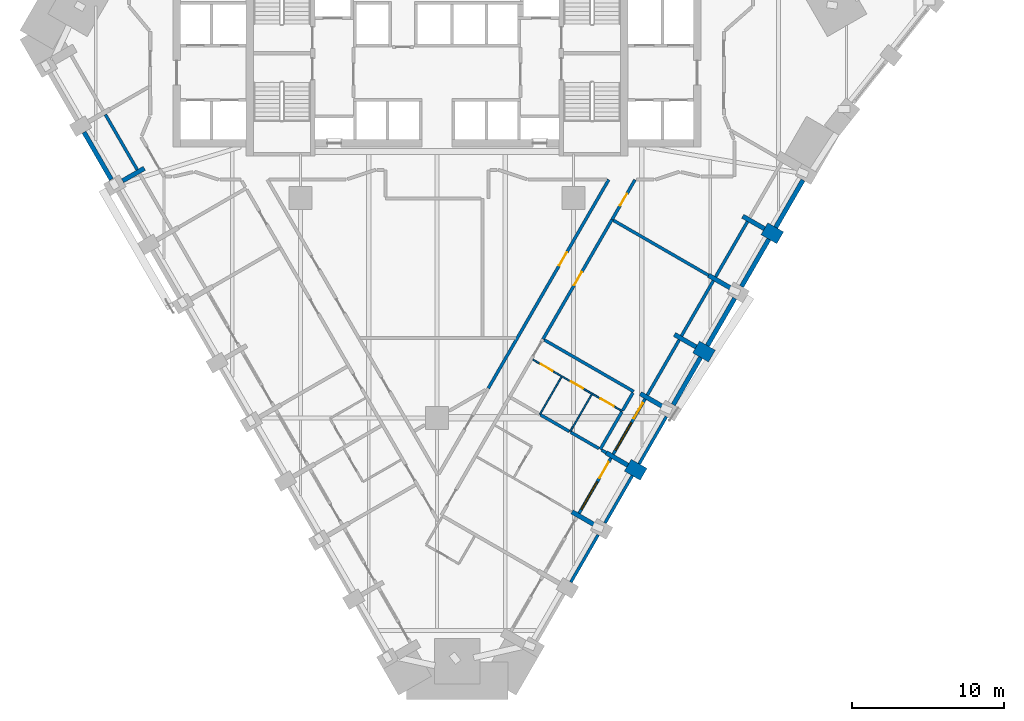
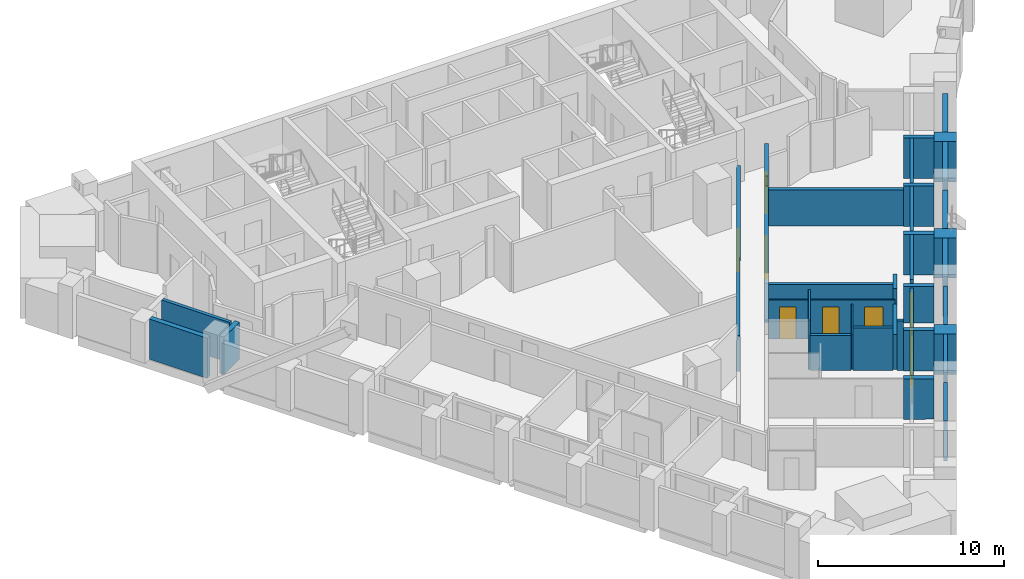
# One storey, part 5 of 11: 37 walls, 8 doors, 2 windows, 10 openings.
"""IFC4 building model written with IfcOpenShell, lengths in metres."""

from ifc_helpers import new_model, si_unit, direction, frame, frame_2d, origin, place, context, subcontext, project, spatial, polyline, rectangle, outline, extrude, material, layer, layer_set, type_object, element, fill, save


model = new_model("IFC4")

# Units and contexts
model_context = context("Model", 3, precision=1e-05, world=origin(), true_north=direction((0.0, 1.0)))
body_context = subcontext(model_context, "Body", "Model", "MODEL_VIEW")
ifc_project = project(units=[si_unit("LENGTHUNIT", "METRE"), si_unit("AREAUNIT", "SQUARE_METRE"), si_unit("VOLUMEUNIT", "CUBIC_METRE"), si_unit("PLANEANGLEUNIT", "RADIAN"), si_unit("MASSUNIT", "GRAM", prefix="KILO")], contexts=[model_context])

# Site, building, storey
site_placement = place(None, origin())
site = spatial("IfcSite", under=ifc_project, at=site_placement, CompositionType="ELEMENT")
building_placement = place(site_placement, origin())
building = spatial("IfcBuilding", under=site, at=building_placement, Name="Calabash Gate Tower", CompositionType="ELEMENT")
storey_placement = place(building_placement, frame((0.0, 0.0, 98.60009765625)))
storey = spatial("IfcBuildingStorey", under=building, at=storey_placement, Name="L21", CompositionType="ELEMENT", Elevation=98.60009765625)

# Walls
ifc_material_1 = material(Name="Terracotta brick masonry, exposed face", Category="masonry")
ifc_layer_1 = layer(ifc_material_1, 1.199951171875)
ifc_layer_set_1 = layer_set([ifc_layer_1], Name="Brick end wall 1200")
wall_type_1 = type_object("IfcWallType", Name="Brick end wall 1200", PredefinedType="SOLIDWALL", material=ifc_layer_set_1)
for number, where, z_axis, x_axis, name in (
    (1, (12.577880859375, -15.11962890625, 0.0), (0.0, 0.0, 1.0), (0.866006032174, -0.500033551112, 0.0), "Brick pier S05 SE2.3"),
    (2, (18.1171875, -7.925537109375, 0.0), (0.0, 0.0, 1.0), (-0.866006032174, 0.500033551112, 0.0), "Brick pier S05 SE2.5"),
):
    element("IfcWall", number, at=place(storey_placement, frame(where, z_axis=z_axis, x_axis=x_axis)), inside=storey, type_object=wall_type_1, Name=name, PredefinedType="SOLIDWALL", context=body_context, shape_type="SweptSolid", body=[
        extrude(rectangle(XDim=1.2001953125, YDim=0.89990234375, at=frame_2d((0.60009765625, 0.0))), origin(), (0.0, 0.0, 1.0), 2.6298828125),
    ])
wall_1_placement = place(storey_placement, frame((21.577880859375, 0.46875, 0.0), z_axis=(0.0, 0.0, 1.0), x_axis=(0.866094119867, -0.499880961361, 0.0)))
element("IfcWall", 3, at=wall_1_placement, inside=storey, type_object=wall_type_1, Name="Brick pier S05 SE2.7", PredefinedType="SOLIDWALL", context=body_context, shape_type="SweptSolid", body=[
    extrude(rectangle(XDim=1.199951171875, YDim=0.89990234375, at=frame_2d((0.60009765625, 0.0))), origin(), (0.0, 0.0, 1.0), 2.6298828125),
])
ifc_material_2 = material(Name="Terracotta brick masonry, exposed face", Category="masonry")
ifc_layer_2 = layer(ifc_material_2, 0.300048828125)
ifc_layer_set_2 = layer_set([ifc_layer_2], Name="Brick infill panel wall 300")
wall_type_2 = type_object("IfcWallType", Name="Brick infill panel wall 300", PredefinedType="SOLIDWALL", material=ifc_layer_set_2)
wall_2_placement = place(storey_placement, frame((-21.466552734375, 3.71630859375, 0.0), z_axis=(0.0, 0.0, 1.0), x_axis=(-0.499984792966, 0.866034183392, 0.0)))
element("IfcWall", 4, at=wall_2_placement, inside=storey, type_object=wall_type_2, Name="Brick panel S05 SW0.2", PredefinedType="SOLIDWALL", context=body_context, shape_type="SweptSolid", body=[
    extrude(rectangle(XDim=3.59814453125, YDim=0.300048828125, at=frame_2d((1.799072265625, 0.0))), origin(), (0.0, 0.0, 1.0), 2.6298828125),
])
wall_3_placement = place(storey_placement, frame((15.572509765625, -11.1328125, 0.0), z_axis=(0.0, 0.0, 1.0), x_axis=(0.500012057535, 0.866018442252, 0.0)))
element("IfcWall", 5, at=wall_3_placement, inside=storey, type_object=wall_type_2, Name="Brick panel S05 SE2.5", PredefinedType="SOLIDWALL", context=body_context, shape_type="SweptSolid", body=[
    extrude(rectangle(XDim=3.60009765625, YDim=0.300048828125, at=frame_2d((1.800048828125, 0.0))), origin(), (0.0, 0.0, 1.0), 2.6298828125),
])
wall_4_placement = place(storey_placement, frame((17.822509765625, -7.23583984375, 0.0), z_axis=(0.0, 0.0, 1.0), x_axis=(0.499982693035, 0.866035395735, 0.0)))
element("IfcWall", 6, at=wall_4_placement, inside=storey, type_object=wall_type_2, Name="Brick panel S05 SE2.6", PredefinedType="SOLIDWALL", context=body_context, shape_type="SweptSolid", body=[
    extrude(rectangle(XDim=3.600341796875, YDim=0.300048828125, at=frame_2d((1.80029296875, 0.0))), origin(), (0.0, 0.0, 1.0), 2.6298828125),
])
for number, where, z_axis, x_axis, name in (
    (7, (20.072509765625, -3.338623046875, 0.0), (0.0, 0.0, 1.0), (0.500012057535, 0.866018442252, 0.0), "Brick panel S05 SE2.7"),
    (8, (22.322509765625, 0.55859375, 0.0), (0.0, 0.0, 1.0), (0.500012057535, 0.866018442252, 0.0), "Brick panel S05 SE2.8"),
):
    element("IfcWall", number, at=place(storey_placement, frame(where, z_axis=z_axis, x_axis=x_axis)), inside=storey, type_object=wall_type_2, Name=name, PredefinedType="SOLIDWALL", context=body_context, shape_type="SweptSolid", body=[
        extrude(rectangle(XDim=3.60009765625, YDim=0.300048828125, at=frame_2d((1.800048828125, 0.0))), origin(), (0.0, 0.0, 1.0), 2.6298828125),
    ])
ifc_material_3 = material(Name="Terracotta brick masonry, exposed face", Category="masonry")
ifc_layer_3 = layer(ifc_material_3, 0.300048828125)
ifc_layer_set_3 = layer_set([ifc_layer_3], Name="Brick loggia cheek wall 300")
wall_type_3 = type_object("IfcWallType", Name="Brick loggia cheek wall 300", PredefinedType="SOLIDWALL", material=ifc_layer_set_3)
wall_5_placement = place(storey_placement, frame((-19.292236328125, 4.4501953125, 0.0), z_axis=(0.0, 0.0, 1.0), x_axis=(-0.865993292597, -0.500055614084, 0.0)))
element("IfcWall", 9, at=wall_5_placement, inside=storey, type_object=wall_type_3, Name="Loggia cheek S05 SW0.2", PredefinedType="SOLIDWALL", context=body_context, shape_type="SweptSolid", body=[
    extrude(rectangle(XDim=1.649169921875, YDim=0.300048828125, at=frame_2d((0.82470703125, 0.0))), origin(), (0.0, 0.0, 1.0), 2.449951171875),
])
wall_6_placement = place(storey_placement, frame((8.89892578125, -18.19189453125, 0.0), z_axis=(0.0, 0.0, 1.0), x_axis=(0.866067297121, -0.499927431592, 0.0)))
element("IfcWall", 10, at=wall_6_placement, inside=storey, type_object=wall_type_3, Name="Loggia cheek S05 SE2.2", PredefinedType="SOLIDWALL", context=body_context, shape_type="SweptSolid", body=[
    extrude(rectangle(XDim=1.649658203125, YDim=0.300048828125, at=frame_2d((0.82470703125, 0.0))), origin(), (0.0, 0.0, 1.0), 2.64990234375),
])
wall_7_placement = place(storey_placement, frame((12.577880859375, -15.11962890625, 0.0), z_axis=(0.0, 0.0, 1.0), x_axis=(-0.866040211805, 0.499974350878, 0.0)))
element("IfcWall", 11, at=wall_7_placement, inside=storey, type_object=wall_type_3, Name="Loggia cheek S05 SE2.3", PredefinedType="SOLIDWALL", context=body_context, shape_type="SweptSolid", body=[
    extrude(rectangle(XDim=1.64990234375, YDim=0.300048828125, at=frame_2d((0.824951171875, 0.0))), origin(), (0.0, 0.0, 1.0), 2.64990234375),
])
wall_8_placement = place(storey_placement, frame((13.39892578125, -10.3974609375, 0.0), z_axis=(0.0, 0.0, 1.0), x_axis=(0.866003217194, -0.500038426333, 0.0)))
element("IfcWall", 12, at=wall_8_placement, inside=storey, type_object=wall_type_3, Name="Loggia cheek S05 SE2.4", PredefinedType="SOLIDWALL", context=body_context, shape_type="SweptSolid", body=[
    extrude(rectangle(XDim=1.649658203125, YDim=0.300048828125, at=frame_2d((0.82470703125, 0.0))), origin(), (0.0, 0.0, 1.0), 2.384033203125),
])
wall_9_placement = place(storey_placement, frame((17.077880859375, -7.325439453125, 0.0), z_axis=(0.0, 0.0, 1.0), x_axis=(-0.866040211805, 0.499974350878, 0.0)))
element("IfcWall", 13, at=wall_9_placement, inside=storey, type_object=wall_type_3, Name="Loggia cheek S05 SE2.5", PredefinedType="SOLIDWALL", context=body_context, shape_type="SweptSolid", body=[
    extrude(rectangle(XDim=1.64990234375, YDim=0.300048828125, at=frame_2d((0.824951171875, 0.0))), origin(), (0.0, 0.0, 1.0), 2.64990234375),
])
wall_10_placement = place(storey_placement, frame((19.327392578125, -3.427978515625, 0.0), z_axis=(0.0, 0.0, 1.0), x_axis=(-0.866030301974, 0.499991515992, 0.0)))
element("IfcWall", 14, at=wall_10_placement, inside=storey, type_object=wall_type_3, Name="Loggia cheek S05 SE2.6", PredefinedType="SOLIDWALL", context=body_context, shape_type="SweptSolid", body=[
    extrude(rectangle(XDim=1.6494140625, YDim=0.300048828125, at=frame_2d((0.82470703125, 0.0))), origin(), (0.0, 0.0, 1.0), 2.64990234375),
])
wall_11_placement = place(storey_placement, frame((21.577880859375, 0.46875, 0.0), z_axis=(0.0, 0.0, 1.0), x_axis=(-0.866040211805, 0.499974350878, 0.0)))
element("IfcWall", 15, at=wall_11_placement, inside=storey, type_object=wall_type_3, Name="Loggia cheek S05 SE2.7", PredefinedType="SOLIDWALL", context=body_context, shape_type="SweptSolid", body=[
    extrude(rectangle(XDim=1.64990234375, YDim=0.300048828125, at=frame_2d((0.824951171875, 0.0))), origin(), (0.0, 0.0, 1.0), 2.64990234375),
])

# Wall, openings, doors
ifc_material_4 = material(Name="Gypsum board on steel studs, mineral wool", Category="steel")
ifc_layer_4 = layer(ifc_material_4, 0.10009765625)
ifc_layer_set_4 = layer_set([ifc_layer_4], Name="Partition 100 gypsum board")
wall_type_4 = type_object("IfcWallType", Name="Partition 100 gypsum board", PredefinedType="PARTITIONING", material=ifc_layer_set_4)
wall_12_placement = place(storey_placement, frame((6.322021484375, -8.1591796875, 0.0), z_axis=(0.0, 0.0, 1.0), x_axis=(0.866028893315, -0.499993955907, 0.0)))
wall_12 = element("IfcWall", 16, at=wall_12_placement, inside=storey, type_object=wall_type_4, Name="Partition", PredefinedType="PARTITIONING", context=body_context, shape_type="SweptSolid", body=[
    extrude(rectangle(XDim=6.7978515625, YDim=0.10009765625, at=frame_2d((3.39892578125, 0.0))), origin(), (0.0, 0.0, 1.0), 2.5517578125),
])
opening_1_placement = place(wall_12_placement, frame((0.59814453125, 0.0, 0.0)))
opening_1 = element("IfcOpeningElement", 17, at=opening_1_placement, cuts=wall_12, Name="Opening 19-21-017", PredefinedType="OPENING", context=body_context, shape_type="SweptSolid", body=[
    extrude(rectangle(XDim=0.89990234375, YDim=2.10009765625, at=frame_2d((0.449951171875, 1.050048828125))), frame((0.0, 0.06005859375, 0.0), z_axis=(0.0, -1.0, 0.0), x_axis=(1.0, 0.0, 0.0)), (0.0, 0.0, 1.0), 0.1201171875),
])
opening_2_placement = place(wall_12_placement, frame((2.898193359375, 0.0, 0.0)))
opening_2 = element("IfcOpeningElement", 18, at=opening_2_placement, cuts=wall_12, Name="Opening 19-21-018", PredefinedType="OPENING", context=body_context, shape_type="SweptSolid", body=[
    extrude(rectangle(XDim=0.89990234375, YDim=2.10009765625, at=frame_2d((0.449951171875, 1.050048828125))), frame((0.0, 0.06005859375, 0.0), z_axis=(0.0, -1.0, 0.0), x_axis=(1.0, 0.0, 0.0)), (0.0, 0.0, 1.0), 0.1201171875),
])
opening_3_placement = place(wall_12_placement, frame((5.148193359375, 0.0, 0.0)))
opening_3 = element("IfcOpeningElement", 19, at=opening_3_placement, cuts=wall_12, Name="Opening 19-21-019", PredefinedType="OPENING", context=body_context, shape_type="SweptSolid", body=[
    extrude(rectangle(XDim=1.0, YDim=2.10009765625, at=frame_2d((0.5, 1.050048828125))), frame((0.0, 0.06005859375, 0.0), z_axis=(0.0, -1.0, 0.0), x_axis=(1.0, 0.0, 0.0)), (0.0, 0.0, 1.0), 0.1201171875),
])
ifc_material_5 = material(Name="Painted timber door", Category="wood")
door_type_1 = type_object("IfcDoorType", Name="WD1 WC door 900x2100", OperationType="NOTDEFINED", PredefinedType="DOOR", material=ifc_material_5)
door_1_placement = place(opening_1_placement, origin())
door_1 = element("IfcDoor", 20, at=door_1_placement, inside=storey, type_object=door_type_1, Name="WC door", OperationType="SINGLE_SWING_RIGHT", OverallHeight=2.10009765625, OverallWidth=0.89990234375, PredefinedType="DOOR", context=body_context, shape_type="SweptSolid", body=[
    extrude(rectangle(XDim=0.89990234375, YDim=2.10009765625, at=frame_2d((0.449951171875, 1.050048828125))), frame((0.0, 0.02490234375, 0.0), z_axis=(0.0, -1.0, 0.0), x_axis=(1.0, 0.0, 0.0)), (0.0, 0.0, 1.0), 0.050048828125),
])
fill(opening_1, door_1)
door_2_placement = place(opening_2_placement, origin())
door_2 = element("IfcDoor", 21, at=door_2_placement, inside=storey, type_object=door_type_1, Name="WC door", OperationType="SINGLE_SWING_RIGHT", OverallHeight=2.10009765625, OverallWidth=0.89990234375, PredefinedType="DOOR", context=body_context, shape_type="SweptSolid", body=[
    extrude(rectangle(XDim=0.89990234375, YDim=2.10009765625, at=frame_2d((0.449951171875, 1.050048828125))), frame((0.0, 0.02490234375, 0.0), z_axis=(0.0, -1.0, 0.0), x_axis=(1.0, 0.0, 0.0)), (0.0, 0.0, 1.0), 0.050048828125),
])
fill(opening_2, door_2)
ifc_material_6 = material(Name="Painted timber door", Category="wood")
door_type_2 = type_object("IfcDoorType", Name="WD2 Accessible WC door 1000x2100", OperationType="NOTDEFINED", PredefinedType="DOOR", material=ifc_material_6)
door_3_placement = place(opening_3_placement, origin())
door_3 = element("IfcDoor", 22, at=door_3_placement, inside=storey, type_object=door_type_2, Name="Accessible WC door", OperationType="SINGLE_SWING_LEFT", OverallHeight=2.10009765625, OverallWidth=1.0, PredefinedType="DOOR", context=body_context, shape_type="SweptSolid", body=[
    extrude(rectangle(XDim=1.0, YDim=2.10009765625, at=frame_2d((0.5, 1.050048828125))), frame((0.0, 0.02490234375, 0.0), z_axis=(0.0, -1.0, 0.0), x_axis=(1.0, 0.0, 0.0)), (0.0, 0.0, 1.0), 0.050048828125),
])
fill(opening_3, door_3)

# Walls
wall_13_placement = place(storey_placement, frame((8.769287109375, -12.92041015625, 0.0), z_axis=(0.0, 0.0, 1.0), x_axis=(0.499972122318, 0.866041498374, 0.0)))
element("IfcWall", 23, at=wall_13_placement, inside=storey, type_object=wall_type_4, Name="Partition", PredefinedType="PARTITIONING", context=body_context, shape_type="SweptSolid", body=[
    extrude(rectangle(XDim=2.849853515625, YDim=0.10009765625, at=frame_2d((1.4248046875, 0.0))), origin(), (0.0, 0.0, 1.0), 2.30224609375),
])
wall_14_placement = place(storey_placement, frame((6.77734375, -11.7705078125, 0.0), z_axis=(0.0, 0.0, 1.0), x_axis=(0.499972122318, 0.866041498374, 0.0)))
element("IfcWall", 24, at=wall_14_placement, inside=storey, type_object=wall_type_4, Name="Partition", PredefinedType="PARTITIONING", context=body_context, shape_type="SweptSolid", body=[
    extrude(rectangle(XDim=2.849853515625, YDim=0.10009765625, at=frame_2d((1.4248046875, 0.0))), origin(), (0.0, 0.0, 1.0), 3.22998046875),
])
ifc_material_7 = material(Name="Gypsum board on steel studs, mineral wool", Category="steel")
ifc_layer_5 = layer(ifc_material_7, 0.199951171875)
ifc_layer_set_5 = layer_set([ifc_layer_5], Name="Partition 200 gypsum board EI 60")
wall_type_5 = type_object("IfcWallType", Name="Partition 200 gypsum board EI 60", PredefinedType="PARTITIONING", material=ifc_layer_set_5)
wall_15_placement = place(storey_placement, frame((10.8466796875, -14.118408203125, 0.0), z_axis=(0.0, 0.0, 1.0), x_axis=(0.864133115814, -0.503263308968, 0.0)))
element("IfcWall", 25, at=wall_15_placement, inside=storey, type_object=wall_type_5, Name="Partition", PredefinedType="PARTITIONING", context=body_context, shape_type="SweptSolid", body=[
    extrude(rectangle(XDim=0.349853515625, YDim=0.199951171875, at=frame_2d((0.1748046875, 0.0))), origin(), (0.0, 0.0, 1.0), 3.22998046875),
])
wall_16_placement = place(storey_placement, frame((10.75927734375, -14.069580078125, 0.0), z_axis=(0.0, 0.0, 1.0), x_axis=(0.499472906963, 0.866329507295, 0.0)))
element("IfcWall", 26, at=wall_16_placement, inside=storey, type_object=wall_type_5, Name="Partition", PredefinedType="PARTITIONING", context=body_context, shape_type="SweptSolid", body=[
    extrude(rectangle(XDim=2.8515625, YDim=0.199951171875, at=frame_2d((1.42578125, 0.0))), origin(), (0.0, 0.0, 1.0), 2.30224609375),
])
wall_17_placement = place(storey_placement, frame((8.811767578125, -12.943115234375, 0.0), z_axis=(0.0, 0.0, 1.0), x_axis=(0.86565946566, -0.500633288458, 0.0)))
element("IfcWall", 27, at=wall_17_placement, inside=storey, type_object=wall_type_5, Name="Partition", PredefinedType="PARTITIONING", context=body_context, shape_type="SweptSolid", body=[
    extrude(rectangle(XDim=2.149658203125, YDim=0.199951171875, at=frame_2d((1.07470703125, 0.0))), origin(), (0.0, 0.0, 1.0), 2.781982421875),
])
wall_18_placement = place(storey_placement, frame((6.81982421875, -11.793212890625, 0.0), z_axis=(0.0, 0.0, 1.0), x_axis=(0.865656676501, -0.500638111243, 0.0)))
element("IfcWall", 28, at=wall_18_placement, inside=storey, type_object=wall_type_5, Name="Partition", PredefinedType="PARTITIONING", context=body_context, shape_type="SweptSolid", body=[
    extrude(rectangle(XDim=2.199951171875, YDim=0.199951171875, at=frame_2d((1.10009765625, 0.0))), origin(), (0.0, 0.0, 1.0), 2.30224609375),
])
wall_19_placement = place(storey_placement, frame((12.23388671875, -11.51220703125, 0.0), z_axis=(0.0, 0.0, 1.0), x_axis=(0.501000622125, 0.865446923058, 0.0)))
element("IfcWall", 29, at=wall_19_placement, inside=storey, type_object=wall_type_5, Name="Partition", PredefinedType="PARTITIONING", context=body_context, shape_type="SweptSolid", body=[
    extrude(rectangle(XDim=1.349853515625, YDim=0.199951171875, at=frame_2d((0.6748046875, 0.0))), origin(), (0.0, 0.0, 1.0), 3.22998046875),
])
wall_20_placement = place(storey_placement, frame((7.072021484375, -6.85986328125, 0.0), z_axis=(0.0, 0.0, 1.0), x_axis=(0.86615808173, -0.499770124611, 0.0)))
element("IfcWall", 30, at=wall_20_placement, inside=storey, type_object=wall_type_5, Name="Partition", PredefinedType="PARTITIONING", context=body_context, shape_type="SweptSolid", body=[
    extrude(rectangle(XDim=6.798095703125, YDim=0.199951171875, at=frame_2d((3.39892578125, 0.0))), origin(), (0.0, 0.0, 1.0), 2.5517578125),
])

# Wall, opening, door
wall_21_placement = place(storey_placement, frame((3.378662109375, -10.049072265625, 0.0), z_axis=(0.0, 0.0, 1.0), x_axis=(0.50000242408, 0.866024004237, 0.0)))
wall_21 = element("IfcWall", 31, at=wall_21_placement, inside=storey, type_object=wall_type_5, Name="Partition", PredefinedType="PARTITIONING", context=body_context, shape_type="SweptSolid", body=[
    extrude(rectangle(XDim=15.876953125, YDim=0.199951171875, at=frame_2d((7.9384765625, 0.0))), origin(), (0.0, 0.0, 1.0), 2.384033203125),
])
opening_4_placement = place(wall_21_placement, frame((9.359130859375, 0.0, 0.0)))
opening_4 = element("IfcOpeningElement", 32, at=opening_4_placement, cuts=wall_21, Name="Opening 19-21-012", PredefinedType="OPENING", context=body_context, shape_type="SweptSolid", body=[
    extrude(rectangle(XDim=1.0, YDim=2.10009765625, at=frame_2d((0.5, 1.050048828125))), frame((0.0, 0.10986328125, 0.0), z_axis=(0.0, -1.0, 0.0), x_axis=(1.0, 0.0, 0.0)), (0.0, 0.0, 1.0), 0.219970703125),
])
ifc_material_8 = material(Name="Steel fire door set with fire-resisting glazing", Category="steel")
door_type_3 = type_object("IfcDoorType", Name="LD2 Meeting room door 1000x2100", OperationType="NOTDEFINED", PredefinedType="DOOR", material=ifc_material_8)
door_4_placement = place(opening_4_placement, origin())
door_4 = element("IfcDoor", 33, at=door_4_placement, inside=storey, type_object=door_type_3, Name="Meeting room door", OperationType="SINGLE_SWING_RIGHT", OverallHeight=2.10009765625, OverallWidth=1.0, PredefinedType="DOOR", context=body_context, shape_type="SweptSolid", body=[
    extrude(rectangle(XDim=1.0, YDim=2.10009765625, at=frame_2d((0.5, 1.050048828125))), frame((0.0, 0.02490234375, 0.0), z_axis=(0.0, -1.0, 0.0), x_axis=(1.0, 0.0, 0.0)), (0.0, 0.0, 1.0), 0.050048828125),
])
fill(opening_4, door_4)

wall_22_placement = place(storey_placement, frame((6.98486328125, -6.807373046875, 0.0), z_axis=(0.0, 0.0, 1.0), x_axis=(0.500170742348, 0.865926803199, 0.0)))
wall_22 = element("IfcWall", 34, at=wall_22_placement, inside=storey, type_object=wall_type_5, Name="Partition", PredefinedType="PARTITIONING", context=body_context, shape_type="SweptSolid", body=[
    extrude(rectangle(XDim=9.097900390625, YDim=0.199951171875, at=frame_2d((4.548828125, 0.0))), origin(), (0.0, 0.0, 1.0), 2.5517578125),
])
opening_5_placement = place(wall_22_placement, frame((4.097900390625, 0.0, 0.0)))
opening_5 = element("IfcOpeningElement", 35, at=opening_5_placement, cuts=wall_22, Name="Opening 19-21-010", PredefinedType="OPENING", context=body_context, shape_type="SweptSolid", body=[
    extrude(rectangle(XDim=1.0, YDim=2.10009765625, at=frame_2d((0.5, 1.050048828125))), frame((0.0, 0.10986328125, 0.0), z_axis=(0.0, -1.0, 0.0), x_axis=(1.0, 0.0, 0.0)), (0.0, 0.0, 1.0), 0.219970703125),
])
door_5_placement = place(opening_5_placement, origin())
door_5 = element("IfcDoor", 36, at=door_5_placement, inside=storey, type_object=door_type_3, Name="Meeting room door", OperationType="SINGLE_SWING_LEFT", OverallHeight=2.10009765625, OverallWidth=1.0, PredefinedType="DOOR", context=body_context, shape_type="SweptSolid", body=[
    extrude(rectangle(XDim=1.0, YDim=2.10009765625, at=frame_2d((0.5, 1.050048828125))), frame((0.0, 0.02490234375, 0.0), z_axis=(0.0, -1.0, 0.0), x_axis=(1.0, 0.0, 0.0)), (0.0, 0.0, 1.0), 0.050048828125),
])
fill(opening_5, door_5)

# Wall
wall_23_placement = place(storey_placement, frame((11.622802734375, 1.0224609375, 0.0), z_axis=(0.0, 0.0, 1.0), x_axis=(0.865930886033, -0.500163673825, 0.0)))
element("IfcWall", 37, at=wall_23_placement, inside=storey, type_object=wall_type_5, Name="Partition", PredefinedType="PARTITIONING", context=body_context, shape_type="SweptSolid", body=[
    extrude(rectangle(XDim=7.248046875, YDim=0.199951171875, at=frame_2d((3.6240234375, 0.0))), origin(), (0.0, 0.0, 1.0), 2.384033203125),
])

# Wall, opening, door
wall_24_placement = place(storey_placement, frame((11.536376953125, 1.072509765625, 0.0), z_axis=(0.0, 0.0, 1.0), x_axis=(0.499620231516, 0.866244552225, 0.0)))
wall_24 = element("IfcWall", 38, at=wall_24_placement, inside=storey, type_object=wall_type_5, Name="Partition", PredefinedType="PARTITIONING", context=body_context, shape_type="SweptSolid", body=[
    extrude(rectangle(XDim=3.032470703125, YDim=0.199951171875, at=frame_2d((1.51611328125, 0.0))), origin(), (0.0, 0.0, 1.0), 3.22998046875),
])
opening_6_placement = place(wall_24_placement, frame((1.065673828125, 0.0, 0.0)))
opening_6 = element("IfcOpeningElement", 39, at=opening_6_placement, cuts=wall_24, Name="Opening 19-21-024", PredefinedType="OPENING", context=body_context, shape_type="SweptSolid", body=[
    extrude(rectangle(XDim=0.89990234375, YDim=2.10009765625, at=frame_2d((0.449951171875, 1.050048828125))), frame((0.0, 0.10986328125, 0.0), z_axis=(0.0, -1.0, 0.0), x_axis=(1.0, 0.0, 0.0)), (0.0, 0.0, 1.0), 0.219970703125),
])
ifc_material_9 = material(Name="Steel fire door set with fire-resisting glazing", Category="steel")
door_type_4 = type_object("IfcDoorType", Name="SD3 Store door 900x2100", OperationType="NOTDEFINED", PredefinedType="DOOR", material=ifc_material_9)
door_6_placement = place(opening_6_placement, origin())
door_6 = element("IfcDoor", 40, at=door_6_placement, inside=storey, type_object=door_type_4, Name="Store door", OperationType="SINGLE_SWING_RIGHT", OverallHeight=2.10009765625, OverallWidth=0.89990234375, PredefinedType="DOOR", context=body_context, shape_type="SweptSolid", body=[
    extrude(rectangle(XDim=0.89990234375, YDim=2.10009765625, at=frame_2d((0.449951171875, 1.050048828125))), frame((0.0, 0.02490234375, 0.0), z_axis=(0.0, -1.0, 0.0), x_axis=(1.0, 0.0, 0.0)), (0.0, 0.0, 1.0), 0.050048828125),
])
fill(opening_6, door_6)

# Walls
ifc_material_10 = material(Name="Terracotta brick masonry, perforated", Category="masonry")
ifc_layer_6 = layer(ifc_material_10, 0.199951171875)
ifc_layer_set_6 = layer_set([ifc_layer_6], Name="Terracotta jaali screen A")
wall_type_6 = type_object("IfcWallType", Name="Terracotta jaali screen A", PredefinedType="SOLIDWALL", material=ifc_layer_set_6)
for number, where, z_axis, x_axis, name in (
    (41, (8.822509765625, -22.82421875, 0.0), (0.0, 0.0, 1.0), (0.500012057535, 0.866018442252, 0.0), "SCREEN A S05 SE2.2"),
    (42, (11.072509765625, -18.927001953125, 0.0), (0.0, 0.0, 1.0), (0.500012057535, 0.866018442252, 0.0), "SCREEN A S05 SE2.3"),
):
    element("IfcWall", number, at=place(storey_placement, frame(where, z_axis=z_axis, x_axis=x_axis)), inside=storey, type_object=wall_type_6, Name=name, PredefinedType="SOLIDWALL", context=body_context, shape_type="SweptSolid", body=[
        extrude(rectangle(XDim=3.60009765625, YDim=0.199951171875, at=frame_2d((1.800048828125, 0.0))), origin(), (0.0, 0.0, 1.0), 2.6298828125),
    ])
wall_25_placement = place(storey_placement, origin())
element("IfcWall", 43, at=wall_25_placement, inside=storey, type_object=wall_type_6, Name="SCREEN A S05 SE2.4", PredefinedType="SOLIDWALL", context=body_context, shape_type="SweptSolid", body=[
    extrude(outline(polyline([(13.408935546875, -15.079833984375), (15.208740234375, -11.962890625), (15.03564453125, -11.86279296875), (13.23583984375, -14.97998046875), (13.408935546875, -15.079833984375)])), origin(), (0.0, 0.0, 1.0), 2.6298828125),
])
ifc_material_11 = material(Name="Aluminium framed window wall with insulated spandrel", Category="aluminium")
ifc_layer_7 = layer(ifc_material_11, 0.199951171875)
ifc_layer_set_7 = layer_set([ifc_layer_7], Name="Window wall 200")
wall_type_7 = type_object("IfcWallType", Name="Window wall 200", PredefinedType="ELEMENTEDWALL", material=ifc_layer_set_7)
wall_26_placement = place(storey_placement, frame((-21.85693359375, 7.992431640625, 0.0), z_axis=(0.0, 0.0, 1.0), x_axis=(0.500002543286, -0.866023935413, 0.0)))
element("IfcWall", 44, at=wall_26_placement, inside=storey, type_object=wall_type_7, Name="Window wall S05 SW0.2", PredefinedType="ELEMENTEDWALL", context=body_context, shape_type="SweptSolid", body=[
    extrude(rectangle(XDim=4.2001953125, YDim=0.199951171875, at=frame_2d((2.10009765625, 0.0))), origin(), (0.0, 0.0, 1.0), 2.64990234375),
])

# Wall, openings, door, window
wall_27_placement = place(storey_placement, frame((9.363525390625, -18.286865234375, 0.0), z_axis=(0.0, 0.0, 1.0), x_axis=(0.500027713859, 0.866009402589, 0.0)))
wall_27 = element("IfcWall", 45, at=wall_27_placement, inside=storey, type_object=wall_type_7, Name="Window wall S05 SE2.3", PredefinedType="ELEMENTEDWALL", context=body_context, shape_type="SweptSolid", body=[
    extrude(rectangle(XDim=4.199951171875, YDim=0.199951171875, at=frame_2d((2.10009765625, 0.0))), origin(), (0.0, 0.0, 1.0), 2.64990234375),
])
opening_7_placement = place(wall_27_placement, frame((0.300048828125, 0.0, 0.60009765625)))
opening_7 = element("IfcOpeningElement", 46, at=opening_7_placement, cuts=wall_27, Name="Opening HW1", PredefinedType="OPENING", context=body_context, shape_type="SweptSolid", body=[
    extrude(rectangle(XDim=2.10009765625, YDim=1.800048828125, at=frame_2d((1.050048828125, 0.89990234375))), frame((0.0, 0.10986328125, 0.0), z_axis=(0.0, -1.0, 0.0), x_axis=(1.0, 0.0, 0.0)), (0.0, 0.0, 1.0), 0.219970703125),
])
opening_8_placement = place(wall_27_placement, frame((2.699951171875, 0.0, 0.0)))
opening_8 = element("IfcOpeningElement", 47, at=opening_8_placement, cuts=wall_27, Name="Opening H5-021", PredefinedType="OPENING", context=body_context, shape_type="SweptSolid", body=[
    extrude(rectangle(XDim=1.199951171875, YDim=2.39990234375, at=frame_2d((0.60009765625, 1.199951171875))), frame((0.0, 0.10986328125, 0.0), z_axis=(0.0, -1.0, 0.0), x_axis=(1.0, 0.0, 0.0)), (0.0, 0.0, 1.0), 0.219970703125),
])
ifc_material_12 = material(Name="Anodised aluminium frame, bronze finish, impact-rated laminated clear glazing", Category="aluminium")
door_type_5 = type_object("IfcDoorType", Name="Loggia door DH1 1200x2400", OperationType="SLIDING_TO_LEFT", PredefinedType="DOOR", material=ifc_material_12)
door_7_placement = place(opening_8_placement, origin())
door_7 = element("IfcDoor", 48, at=door_7_placement, inside=storey, type_object=door_type_5, Name="Loggia door S05 SE2.3", OperationType="SINGLE_SWING_LEFT", OverallHeight=2.39990234375, OverallWidth=1.199951171875, PredefinedType="DOOR", context=body_context, shape_type="SweptSolid", body=[
    extrude(rectangle(XDim=1.199951171875, YDim=2.39990234375, at=frame_2d((0.60009765625, 1.199951171875))), frame((0.0, 0.02490234375, 0.0), z_axis=(0.0, -1.0, 0.0), x_axis=(1.0, 0.0, 0.0)), (0.0, 0.0, 1.0), 0.050048828125),
])
fill(opening_8, door_7)
ifc_material_13 = material(Name="Anodised aluminium frame, bronze finish, impact-rated laminated clear glazing", Category="aluminium")
window_type_1 = type_object("IfcWindowType", Name="Window HW1 2100x1800", PartitioningType="DOUBLE_PANEL_VERTICAL", PredefinedType="WINDOW", material=ifc_material_13)
window_1_placement = place(opening_7_placement, origin())
window_1 = element("IfcWindow", 49, at=window_1_placement, inside=storey, type_object=window_type_1, Name="Window HW1 S05 SE2.3", OverallHeight=1.800048828125, OverallWidth=2.10009765625, PartitioningType="SINGLE_PANEL", PredefinedType="WINDOW", context=body_context, shape_type="SweptSolid", body=[
    extrude(rectangle(XDim=2.10009765625, YDim=1.800048828125, at=frame_2d((1.050048828125, 0.89990234375))), frame((0.0, 0.030029296875, 0.0), z_axis=(0.0, -1.0, 0.0), x_axis=(1.0, 0.0, 0.0)), (0.0, 0.0, 1.0), 0.06005859375),
])
fill(opening_7, window_1)

wall_28_placement = place(storey_placement, frame((11.613525390625, -14.3896484375, 0.0), z_axis=(0.0, 0.0, 1.0), x_axis=(0.500027713859, 0.866009402589, 0.0)))
wall_28 = element("IfcWall", 50, at=wall_28_placement, inside=storey, type_object=wall_type_7, Name="Window wall S05 SE2.4", PredefinedType="ELEMENTEDWALL", context=body_context, shape_type="SweptSolid", body=[
    extrude(rectangle(XDim=4.199951171875, YDim=0.199951171875, at=frame_2d((2.10009765625, 0.0))), origin(), (0.0, 0.0, 1.0), 2.30224609375),
])
opening_9_placement = place(wall_28_placement, frame((0.300048828125, 0.0, 0.60009765625)))
opening_9 = element("IfcOpeningElement", 51, at=opening_9_placement, cuts=wall_28, Name="Opening HW1L-1600", PredefinedType="OPENING", context=body_context, shape_type="SweptSolid", body=[
    extrude(rectangle(XDim=2.10009765625, YDim=1.60009765625, at=frame_2d((1.050048828125, 0.800048828125))), frame((0.0, 0.10986328125, 0.0), z_axis=(0.0, -1.0, 0.0), x_axis=(1.0, 0.0, 0.0)), (0.0, 0.0, 1.0), 0.219970703125),
])
opening_10_placement = place(wall_28_placement, frame((2.699951171875, 0.0, 0.0)))
opening_10 = element("IfcOpeningElement", 52, at=opening_10_placement, cuts=wall_28, Name="Opening H5-022", PredefinedType="OPENING", context=body_context, shape_type="SweptSolid", body=[
    extrude(rectangle(XDim=1.199951171875, YDim=2.199951171875, at=frame_2d((0.60009765625, 1.10009765625))), frame((0.0, 0.10986328125, 0.0), z_axis=(0.0, -1.0, 0.0), x_axis=(1.0, 0.0, 0.0)), (0.0, 0.0, 1.0), 0.219970703125),
])
ifc_material_14 = material(Name="Anodised aluminium frame, bronze finish, impact-rated laminated clear glazing", Category="aluminium")
door_type_6 = type_object("IfcDoorType", Name="Loggia door DH1L-2200 1200x2200", OperationType="SLIDING_TO_LEFT", PredefinedType="DOOR", material=ifc_material_14)
door_8_placement = place(opening_10_placement, origin())
door_8 = element("IfcDoor", 53, at=door_8_placement, inside=storey, type_object=door_type_6, Name="Loggia door S05 SE2.4", OperationType="SINGLE_SWING_LEFT", OverallHeight=2.199951171875, OverallWidth=1.199951171875, PredefinedType="DOOR", context=body_context, shape_type="SweptSolid", body=[
    extrude(rectangle(XDim=1.199951171875, YDim=2.199951171875, at=frame_2d((0.60009765625, 1.10009765625))), frame((0.0, 0.02490234375, 0.0), z_axis=(0.0, -1.0, 0.0), x_axis=(1.0, 0.0, 0.0)), (0.0, 0.0, 1.0), 0.050048828125),
])
fill(opening_10, door_8)
ifc_material_15 = material(Name="Anodised aluminium frame, bronze finish, impact-rated laminated clear glazing", Category="aluminium")
window_type_2 = type_object("IfcWindowType", Name="Window HW1L 2100x1600", PartitioningType="DOUBLE_PANEL_VERTICAL", PredefinedType="WINDOW", material=ifc_material_15)
window_2_placement = place(opening_9_placement, origin())
window_2 = element("IfcWindow", 54, at=window_2_placement, inside=storey, type_object=window_type_2, Name="Window HW1 S05 SE2.4", OverallHeight=1.60009765625, OverallWidth=2.10009765625, PartitioningType="SINGLE_PANEL", PredefinedType="WINDOW", context=body_context, shape_type="SweptSolid", body=[
    extrude(rectangle(XDim=2.10009765625, YDim=1.60009765625, at=frame_2d((1.050048828125, 0.800048828125))), frame((0.0, 0.030029296875, 0.0), z_axis=(0.0, -1.0, 0.0), x_axis=(1.0, 0.0, 0.0)), (0.0, 0.0, 1.0), 0.06005859375),
])
fill(opening_9, window_2)

# Walls
wall_29_placement = place(storey_placement, frame((13.863525390625, -10.49267578125, 0.0), z_axis=(0.0, 0.0, 1.0), x_axis=(0.500002543286, 0.866023935413, 0.0)))
element("IfcWall", 55, at=wall_29_placement, inside=storey, type_object=wall_type_7, Name="Window wall S05 SE2.5", PredefinedType="ELEMENTEDWALL", context=body_context, shape_type="SweptSolid", body=[
    extrude(rectangle(XDim=4.2001953125, YDim=0.199951171875, at=frame_2d((2.10009765625, 0.0))), origin(), (0.0, 0.0, 1.0), 2.64990234375),
])
wall_30_placement = place(storey_placement, frame((16.113525390625, -6.595458984375, 0.0), z_axis=(0.0, 0.0, 1.0), x_axis=(0.500027713859, 0.866009402589, 0.0)))
element("IfcWall", 56, at=wall_30_placement, inside=storey, type_object=wall_type_7, Name="Window wall S05 SE2.6", PredefinedType="ELEMENTEDWALL", context=body_context, shape_type="SweptSolid", body=[
    extrude(rectangle(XDim=4.199951171875, YDim=0.199951171875, at=frame_2d((2.10009765625, 0.0))), origin(), (0.0, 0.0, 1.0), 2.64990234375),
])
wall_31_placement = place(storey_placement, frame((18.363525390625, -2.698486328125, 0.0), z_axis=(0.0, 0.0, 1.0), x_axis=(0.500002543286, 0.866023935413, 0.0)))
element("IfcWall", 57, at=wall_31_placement, inside=storey, type_object=wall_type_7, Name="Window wall S05 SE2.7", PredefinedType="ELEMENTEDWALL", context=body_context, shape_type="SweptSolid", body=[
    extrude(rectangle(XDim=4.2001953125, YDim=0.199951171875, at=frame_2d((2.10009765625, 0.0))), origin(), (0.0, 0.0, 1.0), 2.64990234375),
])

save(model, "model.ifc")
